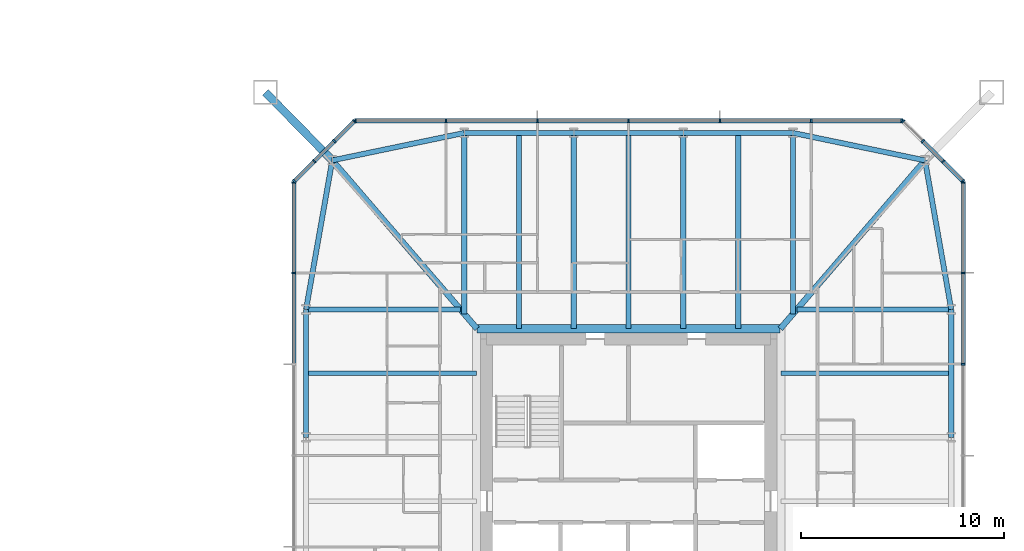
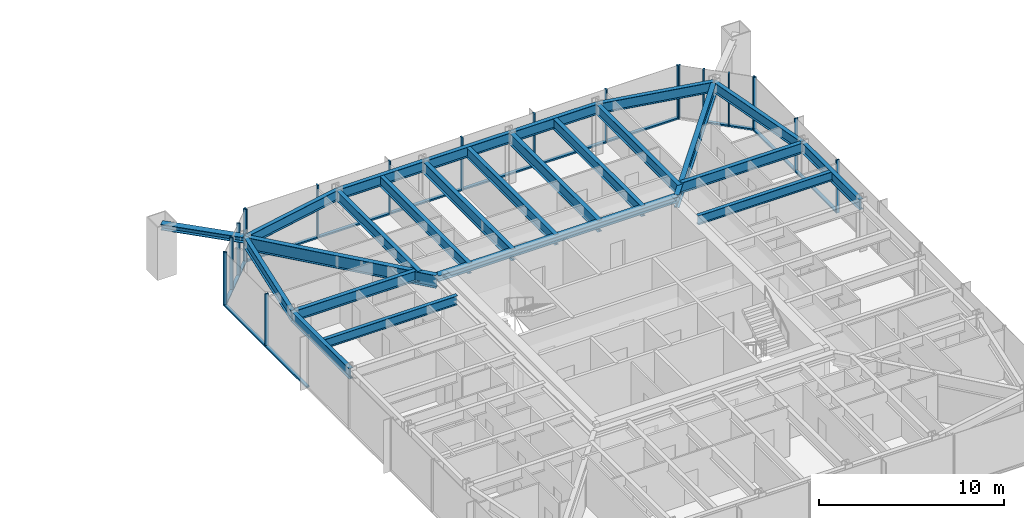
# One storey, part 10 of 26: 36 members, 23 beams, 5 elements without a shape of their own.
"""IFC4 building model written with IfcOpenShell, lengths in metres."""

import ifcopenshell
import ifcopenshell.guid

model = None  # the IFC model being written
_history = None  # IfcOwnerHistory: only IFC2X3 demands one
_inside = {}  # id of a spatial element -> (the spatial element, [elements in it])
_under = {}  # id of a project, library or spatial element -> (it, [spatial elements below it])
_declared = {}  # id of a project -> (the project, [libraries it declares])
_typed = {}  # id of a type object -> (the type object, [elements of that type])
_made_of = {}  # id of a material, layer set ... -> (it, [elements and type objects made of it])


def new_model(schema):
    """Start an empty IFC model of exactly this schema.

    Asked for "IFC4X3", IfcOpenShell would pick the latest addendum, in which some entities
    have other attributes; the version numbers below select the first issue.
    IFC2X3 requires an IfcOwnerHistory on every rooted entity: one is made here for all.
    """
    global model, _history
    if schema == "IFC4X3":
        model = ifcopenshell.file(schema_version=(4, 3, 0, 0))
    else:
        model = ifcopenshell.file(schema=schema)
    _inside.clear()
    _under.clear()
    _declared.clear()
    _typed.clear()
    _made_of.clear()
    _history = None
    if model.schema == "IFC2X3":
        org = make("IfcOrganization", Name="unknown")
        user = make(
            "IfcPersonAndOrganization",
            ThePerson=make("IfcPerson", FamilyName="unknown"),
            TheOrganization=org,
        )
        app = make(
            "IfcApplication",
            ApplicationDeveloper=org,
            Version="unknown",
            ApplicationFullName="unknown",
            ApplicationIdentifier="unknown",
        )
        _history = make(
            "IfcOwnerHistory",
            OwningUser=user,
            OwningApplication=app,
            ChangeAction="ADDED",
            CreationDate=0,
        )
    return model


def make(cls, **values):
    """One entity of the class cls with the attributes given. An attribute that is None is left unset."""
    return model.create_entity(
        cls, **{name: value for name, value in values.items() if value is not None}
    )


def rooted(cls, **values):
    """An entity with a GlobalId (a new one), such as an element, a storey or a relation."""
    return make(cls, GlobalId=ifcopenshell.guid.new(), OwnerHistory=_history, **values)


def si_unit(unit_type, name, prefix=None):
    """IfcSIUnit, for example si_unit("LENGTHUNIT", "METRE", prefix="MILLI")."""
    return make("IfcSIUnit", UnitType=unit_type, Prefix=prefix, Name=name)


def assignment(units):
    """IfcUnitAssignment: the units of a project."""
    return None if units is None else make("IfcUnitAssignment", Units=units)


def point(xyz):
    """IfcCartesianPoint."""
    return None if xyz is None else make("IfcCartesianPoint", Coordinates=xyz)


def direction(xyz):
    """IfcDirection."""
    return None if xyz is None else make("IfcDirection", DirectionRatios=xyz)


def frame(location, z_axis=None, x_axis=None):
    """IfcAxis2Placement3D, a coordinate frame: its origin and axes. An axis left out is left unset."""
    return make(
        "IfcAxis2Placement3D",
        Location=point(location),
        Axis=direction(z_axis),
        RefDirection=direction(x_axis),
    )


def frame_2d(location, x_axis=None):
    """IfcAxis2Placement2D, a coordinate frame in the plane: its origin and x axis."""
    return make(
        "IfcAxis2Placement2D", Location=point(location), RefDirection=direction(x_axis)
    )


def origin():
    """The frame at (0, 0, 0) with its axes left unset."""
    return frame((0.0, 0.0, 0.0))


def origin_2d():
    """The frame at (0, 0) in the plane with its x axis left unset."""
    return frame_2d((0.0, 0.0))


def place(relative_to, where):
    """IfcLocalPlacement: puts the frame where relative to a parent placement (None: the world)."""
    return make(
        "IfcLocalPlacement", PlacementRelTo=relative_to, RelativePlacement=where
    )


def context(
    kind, dimensions, precision=None, world=None, true_north=None, identifier=None
):
    """IfcGeometricRepresentationContext, for example the 3D "Model" context."""
    return make(
        "IfcGeometricRepresentationContext",
        ContextIdentifier=identifier,
        ContextType=kind,
        CoordinateSpaceDimension=dimensions,
        Precision=precision,
        WorldCoordinateSystem=world,
        TrueNorth=true_north,
    )


def subcontext(parent, identifier, kind, view, scale=None):
    """IfcGeometricRepresentationSubContext, for example "Body" below "Model"."""
    return make(
        "IfcGeometricRepresentationSubContext",
        ContextIdentifier=identifier,
        ContextType=kind,
        ParentContext=parent,
        TargetScale=scale,
        TargetView=view,
    )


def project(units=None, contexts=None):
    """IfcProject with its units and contexts."""
    return rooted(
        "IfcProject",
        Name="project",
        RepresentationContexts=contexts,
        UnitsInContext=assignment(units),
    )


def spatial(cls, under=None, at=None, **own):
    """A site, building, storey or space (cls), placed at a placement, below another one or the project."""
    s = rooted(cls, ObjectPlacement=at, **own)
    if under is not None:
        _under.setdefault(under.id(), (under, []))[1].append(s)
    return s


def profile(cls, at=None, kind="AREA", **sizes):
    """A parametric profile (cls). Its sizes go by their IFC names, for example OverallWidth=200.0."""
    return make(cls, ProfileType=kind, Position=at, **sizes)


def rectangle(**sizes):
    """IfcRectangleProfileDef."""
    return profile("IfcRectangleProfileDef", **sizes)


def i_section(**sizes):
    """IfcIShapeProfileDef."""
    return profile("IfcIShapeProfileDef", **sizes)


def extrude(swept, where, along, depth):
    """IfcExtrudedAreaSolid: the profile swept, set in the frame where, extruded along a direction by depth."""
    return make(
        "IfcExtrudedAreaSolid",
        SweptArea=swept,
        Position=where,
        ExtrudedDirection=direction(along),
        Depth=depth,
    )


def shape(context_of_items, identifier, shape_type, items):
    """IfcShapeRepresentation: the items that make up one representation, for example the "Body"."""
    return make(
        "IfcShapeRepresentation",
        ContextOfItems=context_of_items,
        RepresentationIdentifier=identifier,
        RepresentationType=shape_type,
        Items=items,
    )


def material(Name=None, Category=None):
    """IfcMaterial."""
    return make("IfcMaterial", Name=Name, Category=Category)


def material_profile(
    of_material, cross_section, Name=None, Category=None, Priority=None
):
    """IfcMaterialProfile: a cross section and its material."""
    return make(
        "IfcMaterialProfile",
        Name=Name,
        Material=of_material,
        Profile=cross_section,
        Priority=Priority,
        Category=Category,
    )


def profile_set(profiles, Name=None, composite=None):
    """IfcMaterialProfileSet."""
    return make(
        "IfcMaterialProfileSet",
        Name=Name,
        MaterialProfiles=profiles,
        CompositeProfile=composite,
    )


def made_of(thing, what):
    """Note that an element or type object is made of a material, layer set ...; save() writes the relation."""
    if what is not None:
        _made_of.setdefault(what.id(), (what, []))[1].append(thing)
    return thing


def type_object(cls, material=None, **own):
    """A type object (cls), such as IfcWallType, which elements share."""
    return made_of(rooted(cls, **own), material)


def element(
    cls,
    number,
    at=None,
    inside=None,
    cuts=None,
    type_object=None,
    material=None,
    context=None,
    identifier="Body",
    shape_type=None,
    held_by="IfcProductDefinitionShape",
    body=None,
    shapes=None,
    **own,
):
    """One element of the class cls, such as IfcWall. Its Tag is "e" and its number.

    at: its placement. inside: the storey or other place that contains it. cuts: it is an
    opening in that element (IfcRelVoidsElement). A single representation is given by context,
    identifier, shape_type and body (its items); several are given by shapes. held_by: the class
    of the entity that holds the representations. save() writes the other relations.
    """
    e = rooted(cls, Tag="e%d" % number, ObjectPlacement=at, **own)
    if body is not None:
        shapes = [shape(context, identifier, shape_type, body)]
    if shapes is not None:
        e.Representation = make(held_by, Representations=shapes)
    if inside is not None:
        _inside.setdefault(inside.id(), (inside, []))[1].append(e)
    if cuts is not None:
        rooted(
            "IfcRelVoidsElement", RelatingBuildingElement=cuts, RelatedOpeningElement=e
        )
    if type_object is not None:
        _typed.setdefault(type_object.id(), (type_object, []))[1].append(e)
    return made_of(e, material)


def aggregate(whole, parts):
    """IfcRelAggregates: a whole, such as a stair, and the parts it consists of."""
    return rooted("IfcRelAggregates", RelatingObject=whole, RelatedObjects=parts)


def save(model, path):
    """Write the relations noted so far, then the file.

    IfcRelAggregates (storeys below a building ...), IfcRelContainedInSpatialStructure (elements
    in a storey), IfcRelDefinesByType, IfcRelAssociatesMaterial and IfcRelDeclares: one each for
    every whole, place, type object, material and project.
    """
    for whole, parts in _under.values():
        aggregate(whole, parts)
    for where, things in _inside.values():
        rooted(
            "IfcRelContainedInSpatialStructure",
            RelatedElements=things,
            RelatingStructure=where,
        )
    for kind, things in _typed.values():
        rooted("IfcRelDefinesByType", RelatedObjects=things, RelatingType=kind)
    for what, things in _made_of.values():
        rooted("IfcRelAssociatesMaterial", RelatedObjects=things, RelatingMaterial=what)
    for by, libraries in _declared.values():
        rooted("IfcRelDeclares", RelatingContext=by, RelatedDefinitions=libraries)
    model.write(path)


model = new_model("IFC4")

# Units and contexts
model_context = context("Model", 3, precision=1e-05, world=origin(), true_north=direction((0.0, 1.0)))
body_context = subcontext(model_context, "Body", "Model", "MODEL_VIEW")
ifc_project = project(units=[si_unit("LENGTHUNIT", "METRE"), si_unit("AREAUNIT", "SQUARE_METRE"), si_unit("VOLUMEUNIT", "CUBIC_METRE"), si_unit("PLANEANGLEUNIT", "RADIAN"), si_unit("MASSUNIT", "GRAM", prefix="KILO")], contexts=[model_context])

# Site, building, storey
site_placement = place(None, origin())
site = spatial("IfcSite", under=ifc_project, at=site_placement, CompositionType="ELEMENT")
building_placement = place(site_placement, origin())
building = spatial("IfcBuilding", under=site, at=building_placement, Name="Iwan Alto Co-Living Towers", CompositionType="ELEMENT")
storey_placement = place(building_placement, frame((0.0, 0.0, 67.5)))
storey = spatial("IfcBuildingStorey", under=building, at=storey_placement, Name="L18", CompositionType="ELEMENT", Elevation=67.5)

# Curtain wall, members
ifc_material_1 = material(Name="Bronze aluminium unitised frame", Category="aluminium")
curtain_wall_type_1 = type_object("IfcCurtainWallType", Name="CURTAIN WALL CW-C", PredefinedType="NOTDEFINED", material=ifc_material_1)
curtain_wall_1_placement = place(storey_placement, origin())
curtain_wall_1 = element("IfcCurtainWall", 1, at=curtain_wall_1_placement, inside=storey, type_object=curtain_wall_type_1, Name="T2 curtain wall E L18", PredefinedType="NOTDEFINED")
ifc_material_2 = material(Name="Aluminium 6063-T6 bronze anodised", Category="aluminium")
ifc_material_profile_1 = material_profile(ifc_material_2, rectangle(XDim=0.199951171875, YDim=0.080078125, at=origin_2d()), Name="AL 80X200")
ifc_profile_set_1 = profile_set([ifc_material_profile_1], Name="Aluminium 6063-T6 bronze anodised")
member_type_1 = type_object("IfcMemberType", Name="CW-C MULLION 80X200", PredefinedType="MULLION", material=ifc_profile_set_1)
member_1_placement = place(storey_placement, frame((79.5, 6.75, 0.0), z_axis=(0.0, 0.0, 1.0), x_axis=(-1.0, 0.0, 0.0)))
member_1 = element("IfcMember", 2, at=member_1_placement, type_object=member_type_1, Name="CW-C mullion 6", PredefinedType="MULLION", context=body_context, shape_type="SweptSolid", body=[
    extrude(rectangle(XDim=0.199951171875, YDim=0.080078125, at=origin_2d()), origin(), (0.0, 0.0, 1.0), 3.5),
])
member_2_placement = place(storey_placement, frame((79.5, 11.25, 0.0), z_axis=(0.0, 0.0, 1.0), x_axis=(-1.0, 0.0, 0.0)))
member_2 = element("IfcMember", 3, at=member_2_placement, type_object=member_type_1, Name="CW-C mullion 7", PredefinedType="MULLION", context=body_context, shape_type="SweptSolid", body=[
    extrude(rectangle(XDim=0.199951171875, YDim=0.080078125, at=origin_2d()), origin(), (0.0, 0.0, 1.0), 3.5),
])
member_3_placement = place(storey_placement, frame((79.5, 15.7099609375, 0.0), z_axis=(0.0, 0.0, 1.0), x_axis=(-1.0, 0.0, 0.0)))
member_3 = element("IfcMember", 4, at=member_3_placement, type_object=member_type_1, Name="CW-C mullion 8", PredefinedType="MULLION", context=body_context, shape_type="SweptSolid", body=[
    extrude(rectangle(XDim=0.199951171875, YDim=0.080078125, at=origin_2d()), origin(), (0.0, 0.0, 1.0), 3.5),
])

curtain_wall_2_placement = place(storey_placement, origin())
curtain_wall_2 = element("IfcCurtainWall", 5, at=curtain_wall_2_placement, inside=storey, type_object=curtain_wall_type_1, Name="T2 curtain wall N L18", PredefinedType="NOTDEFINED")
member_4_placement = place(storey_placement, frame((76.4599609375, 18.75, 0.0), z_axis=(0.0, 0.0, 1.0), x_axis=(0.0, -1.0, 0.0)))
member_4 = element("IfcMember", 6, at=member_4_placement, type_object=member_type_1, Name="CW-C mullion 1", PredefinedType="MULLION", context=body_context, shape_type="SweptSolid", body=[
    extrude(rectangle(XDim=0.199951171875, YDim=0.080078125, at=origin_2d()), origin(), (0.0, 0.0, 1.0), 3.5),
])
member_5_placement = place(storey_placement, frame((72.0, 18.75, 0.0), z_axis=(0.0, 0.0, 1.0), x_axis=(0.0, -1.0, 0.0)))
member_5 = element("IfcMember", 7, at=member_5_placement, type_object=member_type_1, Name="CW-C mullion 2", PredefinedType="MULLION", context=body_context, shape_type="SweptSolid", body=[
    extrude(rectangle(XDim=0.199951171875, YDim=0.080078125, at=origin_2d()), origin(), (0.0, 0.0, 1.0), 3.5),
])
member_6_placement = place(storey_placement, frame((67.5, 18.75, 0.0), z_axis=(0.0, 0.0, 1.0), x_axis=(0.0, -1.0, 0.0)))
member_6 = element("IfcMember", 8, at=member_6_placement, type_object=member_type_1, Name="CW-C mullion 3", PredefinedType="MULLION", context=body_context, shape_type="SweptSolid", body=[
    extrude(rectangle(XDim=0.199951171875, YDim=0.080078125, at=origin_2d()), origin(), (0.0, 0.0, 1.0), 3.5),
])
member_7_placement = place(storey_placement, frame((63.0, 18.75, 0.0), z_axis=(0.0, 0.0, 1.0), x_axis=(0.0, -1.0, 0.0)))
member_7 = element("IfcMember", 9, at=member_7_placement, type_object=member_type_1, Name="CW-C mullion 4", PredefinedType="MULLION", context=body_context, shape_type="SweptSolid", body=[
    extrude(rectangle(XDim=0.199951171875, YDim=0.080078125, at=origin_2d()), origin(), (0.0, 0.0, 1.0), 3.5),
])
member_8_placement = place(storey_placement, frame((58.5, 18.75, 0.0), z_axis=(0.0, 0.0, 1.0), x_axis=(0.0, -1.0, 0.0)))
member_8 = element("IfcMember", 10, at=member_8_placement, type_object=member_type_1, Name="CW-C mullion 5", PredefinedType="MULLION", context=body_context, shape_type="SweptSolid", body=[
    extrude(rectangle(XDim=0.199951171875, YDim=0.080078125, at=origin_2d()), origin(), (0.0, 0.0, 1.0), 3.5),
])
member_9_placement = place(storey_placement, frame((54.0, 18.75, 0.0), z_axis=(0.0, 0.0, 1.0), x_axis=(0.0, -1.0, 0.0)))
member_9 = element("IfcMember", 11, at=member_9_placement, type_object=member_type_1, Name="CW-C mullion 6", PredefinedType="MULLION", context=body_context, shape_type="SweptSolid", body=[
    extrude(rectangle(XDim=0.199951171875, YDim=0.080078125, at=origin_2d()), origin(), (0.0, 0.0, 1.0), 3.5),
])
member_10_placement = place(storey_placement, frame((49.5400390625, 18.75, 0.0), z_axis=(0.0, 0.0, 1.0), x_axis=(0.0, -1.0, 0.0)))
member_10 = element("IfcMember", 12, at=member_10_placement, type_object=member_type_1, Name="CW-C mullion 7", PredefinedType="MULLION", context=body_context, shape_type="SweptSolid", body=[
    extrude(rectangle(XDim=0.199951171875, YDim=0.080078125, at=origin_2d()), origin(), (0.0, 0.0, 1.0), 3.5),
])

curtain_wall_3_placement = place(storey_placement, origin())
curtain_wall_3 = element("IfcCurtainWall", 13, at=curtain_wall_3_placement, inside=storey, type_object=curtain_wall_type_1, Name="T2 curtain wall W L18", PredefinedType="NOTDEFINED")
member_11_placement = place(storey_placement, frame((46.5, 15.7099609375, 0.0), z_axis=(0.0, 0.0, 1.0), x_axis=(1.0, 0.0, 0.0)))
member_11 = element("IfcMember", 14, at=member_11_placement, type_object=member_type_1, Name="CW-C mullion 1", PredefinedType="MULLION", context=body_context, shape_type="SweptSolid", body=[
    extrude(rectangle(XDim=0.199951171875, YDim=0.080078125, at=origin_2d()), origin(), (0.0, 0.0, 1.0), 3.5),
])
member_12_placement = place(storey_placement, frame((46.5, 11.25, 0.0), z_axis=(0.0, 0.0, 1.0), x_axis=(1.0, 0.0, 0.0)))
member_12 = element("IfcMember", 15, at=member_12_placement, type_object=member_type_1, Name="CW-C mullion 2", PredefinedType="MULLION", context=body_context, shape_type="SweptSolid", body=[
    extrude(rectangle(XDim=0.199951171875, YDim=0.080078125, at=origin_2d()), origin(), (0.0, 0.0, 1.0), 3.5),
])

# Member
ifc_material_3 = material(Name="Aluminium 6063-T6 bronze anodised", Category="aluminium")
ifc_material_profile_2 = material_profile(ifc_material_3, rectangle(XDim=0.199951171875, YDim=0.10009765625, at=origin_2d()), Name="AL 200X100")
ifc_profile_set_2 = profile_set([ifc_material_profile_2], Name="Aluminium 6063-T6 bronze anodised")
member_type_2 = type_object("IfcMemberType", Name="CW-C TRANSOM 200X100", PredefinedType="USERDEFINED", material=ifc_profile_set_2)
member_13_placement = place(storey_placement, frame((79.5, 6.7900390625, 0.050048828125), z_axis=(0.0, 1.0, 0.0), x_axis=(-1.0, 0.0, 0.0)))
member_13 = element("IfcMember", 16, at=member_13_placement, type_object=member_type_2, Name="CW-C transom 6.1", ObjectType="TRANSOM", PredefinedType="USERDEFINED", context=body_context, shape_type="SweptSolid", body=[
    extrude(rectangle(XDim=0.199951171875, YDim=0.10009765625, at=origin_2d()), origin(), (0.0, 0.0, 1.0), 4.419921875),
])

member_14_placement = place(storey_placement, frame((79.5, 11.2900390625, 0.050048828125), z_axis=(0.0, 1.0, 0.0), x_axis=(-1.0, 0.0, 0.0)))
member_14 = element("IfcMember", 17, at=member_14_placement, type_object=member_type_2, Name="CW-C transom 7.1", ObjectType="TRANSOM", PredefinedType="USERDEFINED", context=body_context, shape_type="SweptSolid", body=[
    extrude(rectangle(XDim=0.199951171875, YDim=0.10009765625, at=origin_2d()), origin(), (0.0, 0.0, 1.0), 4.3798828125),
])

aggregate(curtain_wall_1, [member_1, member_2, member_3, member_13, member_14])

member_15_placement = place(storey_placement, frame((76.419921875, 18.75, 0.050048828125), z_axis=(-1.0, 0.0, 0.0), x_axis=(0.0, -1.0, 0.0)))
member_15 = element("IfcMember", 18, at=member_15_placement, type_object=member_type_2, Name="CW-C transom 1.1", ObjectType="TRANSOM", PredefinedType="USERDEFINED", context=body_context, shape_type="SweptSolid", body=[
    extrude(rectangle(XDim=0.199951171875, YDim=0.10009765625, at=origin_2d()), origin(), (0.0, 0.0, 1.0), 4.3798828125),
])

member_16_placement = place(storey_placement, frame((71.9599609375, 18.75, 0.050048828125), z_axis=(-1.0, 0.0, 0.0), x_axis=(0.0, -1.0, 0.0)))
member_16 = element("IfcMember", 19, at=member_16_placement, type_object=member_type_2, Name="CW-C transom 2.1", ObjectType="TRANSOM", PredefinedType="USERDEFINED", context=body_context, shape_type="SweptSolid", body=[
    extrude(rectangle(XDim=0.199951171875, YDim=0.10009765625, at=origin_2d()), origin(), (0.0, 0.0, 1.0), 4.419921875),
])

member_17_placement = place(storey_placement, frame((67.4599609375, 18.75, 0.050048828125), z_axis=(-1.0, 0.0, 0.0), x_axis=(0.0, -1.0, 0.0)))
member_17 = element("IfcMember", 20, at=member_17_placement, type_object=member_type_2, Name="CW-C transom 3.1", ObjectType="TRANSOM", PredefinedType="USERDEFINED", context=body_context, shape_type="SweptSolid", body=[
    extrude(rectangle(XDim=0.199951171875, YDim=0.10009765625, at=origin_2d()), origin(), (0.0, 0.0, 1.0), 4.419921875),
])

member_18_placement = place(storey_placement, frame((62.9599609375, 18.75, 0.050048828125), z_axis=(-1.0, 0.0, 0.0), x_axis=(0.0, -1.0, 0.0)))
member_18 = element("IfcMember", 21, at=member_18_placement, type_object=member_type_2, Name="CW-C transom 4.1", ObjectType="TRANSOM", PredefinedType="USERDEFINED", context=body_context, shape_type="SweptSolid", body=[
    extrude(rectangle(XDim=0.199951171875, YDim=0.10009765625, at=origin_2d()), origin(), (0.0, 0.0, 1.0), 4.419921875),
])

member_19_placement = place(storey_placement, frame((58.4599609375, 18.75, 0.050048828125), z_axis=(-1.0, 0.0, 0.0), x_axis=(0.0, -1.0, 0.0)))
member_19 = element("IfcMember", 22, at=member_19_placement, type_object=member_type_2, Name="CW-C transom 5.1", ObjectType="TRANSOM", PredefinedType="USERDEFINED", context=body_context, shape_type="SweptSolid", body=[
    extrude(rectangle(XDim=0.199951171875, YDim=0.10009765625, at=origin_2d()), origin(), (0.0, 0.0, 1.0), 4.419921875),
])

member_20_placement = place(storey_placement, frame((53.9599609375, 18.75, 0.050048828125), z_axis=(-1.0, 0.0, 0.0), x_axis=(0.0, -1.0, 0.0)))
member_20 = element("IfcMember", 23, at=member_20_placement, type_object=member_type_2, Name="CW-C transom 6.1", ObjectType="TRANSOM", PredefinedType="USERDEFINED", context=body_context, shape_type="SweptSolid", body=[
    extrude(rectangle(XDim=0.199951171875, YDim=0.10009765625, at=origin_2d()), origin(), (0.0, 0.0, 1.0), 4.3798828125),
])

aggregate(curtain_wall_2, [member_4, member_5, member_6, member_7, member_8, member_9, member_10, member_15, member_16, member_17, member_18, member_19, member_20])

member_21_placement = place(storey_placement, frame((46.5, 15.669921875, 0.050048828125), z_axis=(0.0, -1.0, 0.0), x_axis=(1.0, 0.0, 0.0)))
member_21 = element("IfcMember", 24, at=member_21_placement, type_object=member_type_2, Name="CW-C transom 1.1", ObjectType="TRANSOM", PredefinedType="USERDEFINED", context=body_context, shape_type="SweptSolid", body=[
    extrude(rectangle(XDim=0.199951171875, YDim=0.10009765625, at=origin_2d()), origin(), (0.0, 0.0, 1.0), 4.3798828125),
])

member_22_placement = place(storey_placement, frame((46.5, 11.2099609375, 0.050048828125), z_axis=(0.0, -1.0, 0.0), x_axis=(1.0, 0.0, 0.0)))
member_22 = element("IfcMember", 25, at=member_22_placement, type_object=member_type_2, Name="CW-C transom 2.1", ObjectType="TRANSOM", PredefinedType="USERDEFINED", context=body_context, shape_type="SweptSolid", body=[
    extrude(rectangle(XDim=0.199951171875, YDim=0.10009765625, at=origin_2d()), origin(), (0.0, 0.0, 1.0), 4.419921875),
])

aggregate(curtain_wall_3, [member_11, member_12, member_21, member_22])

# Curtain wall, members
ifc_material_4 = material(Name="Bronze aluminium unitised frame", Category="aluminium")
curtain_wall_type_2 = type_object("IfcCurtainWallType", Name="CURTAIN WALL CW-D", PredefinedType="NOTDEFINED", material=ifc_material_4)
curtain_wall_4_placement = place(storey_placement, origin())
curtain_wall_4 = element("IfcCurtainWall", 26, at=curtain_wall_4_placement, inside=storey, type_object=curtain_wall_type_2, Name="T2 chamfer curtain wall NE L18", PredefinedType="NOTDEFINED")
ifc_material_5 = material(Name="Aluminium 6063-T6 bronze anodised", Category="aluminium")
ifc_material_profile_3 = material_profile(ifc_material_5, rectangle(XDim=0.199951171875, YDim=0.080078125, at=origin_2d()), Name="AL 80X200")
ifc_profile_set_3 = profile_set([ifc_material_profile_3], Name="Aluminium 6063-T6 bronze anodised")
member_type_3 = type_object("IfcMemberType", Name="CW-D MULLION 80X200", PredefinedType="MULLION", material=ifc_profile_set_3)
member_23_placement = place(storey_placement, frame((79.4716796875, 15.7783203125, 0.0), z_axis=(0.0, 0.0, 1.0), x_axis=(-0.707106781187, -0.707106781187, 0.0)))
member_23 = element("IfcMember", 27, at=member_23_placement, type_object=member_type_3, Name="CW-D mullion 1", PredefinedType="MULLION", context=body_context, shape_type="SweptSolid", body=[
    extrude(rectangle(XDim=0.199951171875, YDim=0.080078125, at=origin_2d()), origin(), (0.0, 0.0, 1.0), 3.5),
])
member_24_placement = place(storey_placement, frame((78.5, 16.75, 0.0), z_axis=(0.0, 0.0, 1.0), x_axis=(-0.707106781187, -0.707106781187, 0.0)))
member_24 = element("IfcMember", 28, at=member_24_placement, type_object=member_type_3, Name="CW-D mullion 2", PredefinedType="MULLION", context=body_context, shape_type="SweptSolid", body=[
    extrude(rectangle(XDim=0.199951171875, YDim=0.080078125, at=origin_2d()), origin(), (0.0, 0.0, 1.0), 3.5),
])
member_25_placement = place(storey_placement, frame((77.5, 17.75, 0.0), z_axis=(0.0, 0.0, 1.0), x_axis=(-0.707106781187, -0.707106781187, 0.0)))
member_25 = element("IfcMember", 29, at=member_25_placement, type_object=member_type_3, Name="CW-D mullion 3", PredefinedType="MULLION", context=body_context, shape_type="SweptSolid", body=[
    extrude(rectangle(XDim=0.199951171875, YDim=0.080078125, at=origin_2d()), origin(), (0.0, 0.0, 1.0), 3.5),
])
member_26_placement = place(storey_placement, frame((76.5283203125, 18.7216796875, 0.0), z_axis=(0.0, 0.0, 1.0), x_axis=(-0.707106781187, -0.707106781187, 0.0)))
member_26 = element("IfcMember", 30, at=member_26_placement, type_object=member_type_3, Name="CW-D mullion 4", PredefinedType="MULLION", context=body_context, shape_type="SweptSolid", body=[
    extrude(rectangle(XDim=0.199951171875, YDim=0.080078125, at=origin_2d()), origin(), (0.0, 0.0, 1.0), 3.5),
])

curtain_wall_5_placement = place(storey_placement, origin())
curtain_wall_5 = element("IfcCurtainWall", 31, at=curtain_wall_5_placement, inside=storey, type_object=curtain_wall_type_2, Name="T2 chamfer curtain wall NW L18", PredefinedType="NOTDEFINED")
member_27_placement = place(storey_placement, frame((49.4716796875, 18.7216796875, 0.0), z_axis=(0.0, 0.0, 1.0), x_axis=(0.707106781187, -0.707106781187, 0.0)))
member_27 = element("IfcMember", 32, at=member_27_placement, type_object=member_type_3, Name="CW-D mullion 1", PredefinedType="MULLION", context=body_context, shape_type="SweptSolid", body=[
    extrude(rectangle(XDim=0.199951171875, YDim=0.080078125, at=origin_2d()), origin(), (0.0, 0.0, 1.0), 3.5),
])
member_28_placement = place(storey_placement, frame((48.5, 17.75, 0.0), z_axis=(0.0, 0.0, 1.0), x_axis=(0.707106781187, -0.707106781187, 0.0)))
member_28 = element("IfcMember", 33, at=member_28_placement, type_object=member_type_3, Name="CW-D mullion 2", PredefinedType="MULLION", context=body_context, shape_type="SweptSolid", body=[
    extrude(rectangle(XDim=0.199951171875, YDim=0.080078125, at=origin_2d()), origin(), (0.0, 0.0, 1.0), 3.5),
])
member_29_placement = place(storey_placement, frame((47.5, 16.75, 0.0), z_axis=(0.0, 0.0, 1.0), x_axis=(0.707106781187, -0.707106781187, 0.0)))
member_29 = element("IfcMember", 34, at=member_29_placement, type_object=member_type_3, Name="CW-D mullion 3", PredefinedType="MULLION", context=body_context, shape_type="SweptSolid", body=[
    extrude(rectangle(XDim=0.199951171875, YDim=0.080078125, at=origin_2d()), origin(), (0.0, 0.0, 1.0), 3.5),
])
member_30_placement = place(storey_placement, frame((46.5283203125, 15.7783203125, 0.0), z_axis=(0.0, 0.0, 1.0), x_axis=(0.707106781187, -0.707106781187, 0.0)))
member_30 = element("IfcMember", 35, at=member_30_placement, type_object=member_type_3, Name="CW-D mullion 4", PredefinedType="MULLION", context=body_context, shape_type="SweptSolid", body=[
    extrude(rectangle(XDim=0.199951171875, YDim=0.080078125, at=origin_2d()), origin(), (0.0, 0.0, 1.0), 3.5),
])

# Member
ifc_material_6 = material(Name="Aluminium 6063-T6 bronze anodised", Category="aluminium")
ifc_material_profile_4 = material_profile(ifc_material_6, rectangle(XDim=0.199951171875, YDim=0.10009765625, at=origin_2d()), Name="AL 200X100")
ifc_profile_set_4 = profile_set([ifc_material_profile_4], Name="Aluminium 6063-T6 bronze anodised")
member_type_4 = type_object("IfcMemberType", Name="CW-D TRANSOM 200X100", PredefinedType="USERDEFINED", material=ifc_profile_set_4)
member_31_placement = place(storey_placement, frame((79.443359375, 15.806640625, 0.050048828125), z_axis=(-0.707106781187, 0.707106781187, 0.0), x_axis=(-0.707106781187, -0.707106781187, 0.0)))
member_31 = element("IfcMember", 36, at=member_31_placement, type_object=member_type_4, Name="CW-D transom 1.1", ObjectType="TRANSOM", PredefinedType="USERDEFINED", context=body_context, shape_type="SweptSolid", body=[
    extrude(rectangle(XDim=0.199951171875, YDim=0.10009765625, at=origin_2d()), origin(), (0.0, 0.0, 1.0), 1.2939453125),
])

member_32_placement = place(storey_placement, frame((78.4716796875, 16.7783203125, 0.050048828125), z_axis=(-0.707106781187, 0.707106781187, 0.0), x_axis=(-0.707106781187, -0.707106781187, 0.0)))
member_32 = element("IfcMember", 37, at=member_32_placement, type_object=member_type_4, Name="CW-D transom 2.1", ObjectType="TRANSOM", PredefinedType="USERDEFINED", context=body_context, shape_type="SweptSolid", body=[
    extrude(rectangle(XDim=0.199951171875, YDim=0.10009765625, at=origin_2d()), origin(), (0.0, 0.0, 1.0), 1.334228515625),
])

aggregate(curtain_wall_4, [member_23, member_24, member_25, member_26, member_31, member_32])

member_33_placement = place(storey_placement, frame((49.443359375, 18.693359375, 0.050048828125), z_axis=(-0.707106781187, -0.707106781187, 0.0), x_axis=(0.707106781187, -0.707106781187, 0.0)))
member_33 = element("IfcMember", 38, at=member_33_placement, type_object=member_type_4, Name="CW-D transom 1.1", ObjectType="TRANSOM", PredefinedType="USERDEFINED", context=body_context, shape_type="SweptSolid", body=[
    extrude(rectangle(XDim=0.199951171875, YDim=0.10009765625, at=origin_2d()), origin(), (0.0, 0.0, 1.0), 1.2939453125),
])

member_34_placement = place(storey_placement, frame((48.4716796875, 17.7216796875, 0.050048828125), z_axis=(-0.707106781187, -0.707106781187, 0.0), x_axis=(0.707106781187, -0.707106781187, 0.0)))
member_34 = element("IfcMember", 39, at=member_34_placement, type_object=member_type_4, Name="CW-D transom 2.1", ObjectType="TRANSOM", PredefinedType="USERDEFINED", context=body_context, shape_type="SweptSolid", body=[
    extrude(rectangle(XDim=0.199951171875, YDim=0.10009765625, at=origin_2d()), origin(), (0.0, 0.0, 1.0), 1.334228515625),
])

member_35_placement = place(storey_placement, frame((47.4716796875, 16.7216796875, 0.050048828125), z_axis=(-0.707106781187, -0.707106781187, 0.0), x_axis=(0.707106781187, -0.707106781187, 0.0)))
member_35 = element("IfcMember", 40, at=member_35_placement, type_object=member_type_4, Name="CW-D transom 3.1", ObjectType="TRANSOM", PredefinedType="USERDEFINED", context=body_context, shape_type="SweptSolid", body=[
    extrude(rectangle(XDim=0.199951171875, YDim=0.10009765625, at=origin_2d()), origin(), (0.0, 0.0, 1.0), 1.2939453125),
])

aggregate(curtain_wall_5, [member_27, member_28, member_29, member_30, member_33, member_34, member_35])

# Beams
ifc_material_7 = material(Name="Steel ASTM A992 Gr 50", Category="steel")
ifc_material_profile_5 = material_profile(ifc_material_7, i_section(OverallWidth=0.398681640625, OverallDepth=0.385986328125, WebThickness=0.02099609375, FlangeThickness=0.033203125, at=origin_2d()), Name="W14X176")
ifc_profile_set_5 = profile_set([ifc_material_profile_5], Name="Steel ASTM A992 Gr 50")
beam_type_1 = type_object("IfcBeamType", Name="T2 CORE LEDGER BEAM W14X176", PredefinedType="BEAM", material=ifc_profile_set_5)
beam_1_placement = place(storey_placement, frame((70.471435546875, 8.49951171875, 3.076904296875), z_axis=(-1.0, 0.0, 0.0), x_axis=(0.0, -1.0, 0.0)))
element("IfcBeam", 41, at=beam_1_placement, inside=storey, type_object=beam_type_1, Name="T2 core ledger beam N L19", PredefinedType="BEAM", context=body_context, shape_type="SweptSolid", body=[
    extrude(i_section(OverallWidth=0.398681640625, OverallDepth=0.385986328125, WebThickness=0.02099609375, FlangeThickness=0.033203125, at=origin_2d()), origin(), (0.0, 0.0, 1.0), 14.94287109375),
])
ifc_material_8 = material(Name="Steel ASTM A992 Gr 50", Category="steel")
ifc_material_profile_6 = material_profile(ifc_material_8, i_section(OverallWidth=0.2919921875, OverallDepth=0.8408203125, WebThickness=0.0146484375, FlangeThickness=0.021728515625, at=origin_2d()), Name="W33X130")
ifc_profile_set_6 = profile_set([ifc_material_profile_6], Name="Steel ASTM A992 Gr 50")
beam_type_2 = type_object("IfcBeamType", Name="T2 CORNER GIRDER W33X130", PredefinedType="BEAM", material=ifc_profile_set_6)
for number, where, z_axis, x_axis, name in (
    (42, (77.606201171875, 16.797119140625, 2.849609375), (-0.651977452133, -0.758238354286, 0.0), (0.758238354286, -0.651977452133, 0.0), "T2 corner girder CNE L19"),
    (43, (48.393798828125, 16.797119140625, 2.849609375), (0.651977452133, -0.758238354286, 0.0), (0.758238354286, 0.651977452133, 0.0), "T2 corner girder CNW L19"),
):
    element("IfcBeam", number, at=place(storey_placement, frame(where, z_axis=z_axis, x_axis=x_axis)), inside=storey, type_object=beam_type_2, Name=name, PredefinedType="BEAM", context=body_context, shape_type="SweptSolid", body=[
        extrude(i_section(OverallWidth=0.2919921875, OverallDepth=0.8408203125, WebThickness=0.0146484375, FlangeThickness=0.021728515625, at=origin_2d()), origin(), (0.0, 0.0, 1.0), 10.943359375),
    ])
ifc_material_9 = material(Name="Steel ASTM A992 Gr 50", Category="steel")
ifc_material_profile_7 = material_profile(ifc_material_9, i_section(OverallWidth=0.25390625, OverallDepth=0.683349609375, WebThickness=0.012451171875, FlangeThickness=0.018798828125, at=origin_2d()), Name="W27X94")
ifc_profile_set_7 = profile_set([ifc_material_profile_7], Name="Steel ASTM A992 Gr 50")
beam_type_3 = type_object("IfcBeamType", Name="T2 EDGE BEAM W27X94", PredefinedType="BEAM", material=ifc_profile_set_7)
beam_2_placement = place(storey_placement, frame((78.89990234375, 3.14990234375, 2.928466796875), z_axis=(0.0, 1.0, 0.0), x_axis=(-1.0, 0.0, 0.0)))
element("IfcBeam", 44, at=beam_2_placement, inside=storey, type_object=beam_type_3, Name="T2 edge beam E3 L19", PredefinedType="BEAM", context=body_context, shape_type="SweptSolid", body=[
    extrude(i_section(OverallWidth=0.25390625, OverallDepth=0.683349609375, WebThickness=0.012451171875, FlangeThickness=0.018798828125, at=origin_2d()), origin(), (0.0, 0.0, 1.0), 6.300048828125),
])
beam_3_placement = place(storey_placement, frame((78.89990234375, 9.449951171875, 2.928466796875), z_axis=(-0.173413807283, 0.98484905008, 0.0), x_axis=(-0.98484905008, -0.173413807283, 0.0)))
element("IfcBeam", 45, at=beam_3_placement, inside=storey, type_object=beam_type_3, Name="T2 edge beam E4 L19", PredefinedType="BEAM", context=body_context, shape_type="SweptSolid", body=[
    extrude(i_section(OverallWidth=0.25390625, OverallDepth=0.683349609375, WebThickness=0.012451171875, FlangeThickness=0.018798828125, at=origin_2d()), origin(), (0.0, 0.0, 1.0), 7.460205078125),
])
beam_4_placement = place(storey_placement, frame((77.606201171875, 16.797119140625, 2.928466796875), z_axis=(-0.979060119423, 0.203571320564, 0.0), x_axis=(-0.203571320564, -0.979060119423, 0.0)))
element("IfcBeam", 46, at=beam_4_placement, inside=storey, type_object=beam_type_3, Name="T2 edge beam CNE L19", PredefinedType="BEAM", context=body_context, shape_type="SweptSolid", body=[
    extrude(i_section(OverallWidth=0.25390625, OverallDepth=0.683349609375, WebThickness=0.012451171875, FlangeThickness=0.018798828125, at=origin_2d()), origin(), (0.0, 0.0, 1.0), 6.645263671875),
])
beam_5_placement = place(storey_placement, frame((71.10009765625, 18.14990234375, 2.928466796875), z_axis=(-1.0, 0.0, 0.0), x_axis=(0.0, -1.0, 0.0)))
element("IfcBeam", 47, at=beam_5_placement, inside=storey, type_object=beam_type_3, Name="T2 edge beam N1 L19", PredefinedType="BEAM", context=body_context, shape_type="SweptSolid", body=[
    extrude(i_section(OverallWidth=0.25390625, OverallDepth=0.683349609375, WebThickness=0.012451171875, FlangeThickness=0.018798828125, at=origin_2d()), origin(), (0.0, 0.0, 1.0), 5.400146484375),
])
beam_6_placement = place(storey_placement, frame((65.699951171875, 18.14990234375, 2.928466796875), z_axis=(-1.0, 0.0, 0.0), x_axis=(0.0, -1.0, 0.0)))
element("IfcBeam", 48, at=beam_6_placement, inside=storey, type_object=beam_type_3, Name="T2 edge beam N2 L19", PredefinedType="BEAM", context=body_context, shape_type="SweptSolid", body=[
    extrude(i_section(OverallWidth=0.25390625, OverallDepth=0.683349609375, WebThickness=0.012451171875, FlangeThickness=0.018798828125, at=origin_2d()), origin(), (0.0, 0.0, 1.0), 5.39990234375),
])
beam_7_placement = place(storey_placement, frame((60.300048828125, 18.14990234375, 2.928466796875), z_axis=(-1.0, 0.0, 0.0), x_axis=(0.0, -1.0, 0.0)))
element("IfcBeam", 49, at=beam_7_placement, inside=storey, type_object=beam_type_3, Name="T2 edge beam N3 L19", PredefinedType="BEAM", context=body_context, shape_type="SweptSolid", body=[
    extrude(i_section(OverallWidth=0.25390625, OverallDepth=0.683349609375, WebThickness=0.012451171875, FlangeThickness=0.018798828125, at=origin_2d()), origin(), (0.0, 0.0, 1.0), 5.400146484375),
])
beam_8_placement = place(storey_placement, frame((54.89990234375, 18.14990234375, 2.928466796875), z_axis=(-0.979060119423, -0.203571320564, 0.0), x_axis=(0.203571320564, -0.979060119423, 0.0)))
element("IfcBeam", 50, at=beam_8_placement, inside=storey, type_object=beam_type_3, Name="T2 edge beam N4 L19", PredefinedType="BEAM", context=body_context, shape_type="SweptSolid", body=[
    extrude(i_section(OverallWidth=0.25390625, OverallDepth=0.683349609375, WebThickness=0.012451171875, FlangeThickness=0.018798828125, at=origin_2d()), origin(), (0.0, 0.0, 1.0), 6.645263671875),
])
beam_9_placement = place(storey_placement, frame((48.393798828125, 16.797119140625, 2.928466796875), z_axis=(-0.173413807283, -0.98484905008, 0.0), x_axis=(0.98484905008, -0.173413807283, 0.0)))
element("IfcBeam", 51, at=beam_9_placement, inside=storey, type_object=beam_type_3, Name="T2 edge beam CNW L19", PredefinedType="BEAM", context=body_context, shape_type="SweptSolid", body=[
    extrude(i_section(OverallWidth=0.25390625, OverallDepth=0.683349609375, WebThickness=0.012451171875, FlangeThickness=0.018798828125, at=origin_2d()), origin(), (0.0, 0.0, 1.0), 7.460205078125),
])
beam_10_placement = place(storey_placement, frame((47.10009765625, 9.449951171875, 2.928466796875), z_axis=(0.0, -1.0, 0.0), x_axis=(1.0, 0.0, 0.0)))
element("IfcBeam", 52, at=beam_10_placement, inside=storey, type_object=beam_type_3, Name="T2 edge beam W1 L19", PredefinedType="BEAM", context=body_context, shape_type="SweptSolid", body=[
    extrude(i_section(OverallWidth=0.25390625, OverallDepth=0.683349609375, WebThickness=0.012451171875, FlangeThickness=0.018798828125, at=origin_2d()), origin(), (0.0, 0.0, 1.0), 6.300048828125),
])

# Member
ifc_material_10 = material(Name="Steel ASTM A992 Gr 50", Category="steel")
ifc_material_profile_8 = material_profile(ifc_material_10, i_section(OverallWidth=0.393798828125, OverallDepth=0.3759765625, WebThickness=0.017333984375, FlangeThickness=0.027587890625, at=origin_2d()), Name="W14X145")
ifc_profile_set_8 = profile_set([ifc_material_profile_8], Name="Steel ASTM A992 Gr 50")
member_type_5 = type_object("IfcMemberType", Name="T2 MEGA COLUMN FLOOR TIE W14X145", PredefinedType="STRUT", material=ifc_profile_set_8)
member_36_placement = place(storey_placement, frame((45.10009765625, 20.14990234375, 3.08203125), z_axis=(0.700793469544, -0.71336422187, 0.0), x_axis=(0.71336422187, 0.700793469544, 0.0)))
element("IfcMember", 53, at=member_36_placement, inside=storey, type_object=member_type_5, Name="T2 mega column floor tie NW L19", PredefinedType="STRUT", context=body_context, shape_type="SweptSolid", body=[
    extrude(i_section(OverallWidth=0.393798828125, OverallDepth=0.3759765625, WebThickness=0.017333984375, FlangeThickness=0.027587890625, at=origin_2d()), origin(), (0.0, 0.0, 1.0), 4.699951171875),
])

# Beams
ifc_material_11 = material(Name="Steel ASTM A992 Gr 50", Category="steel")
ifc_material_profile_9 = material_profile(ifc_material_11, i_section(OverallWidth=0.25390625, OverallDepth=0.683349609375, WebThickness=0.012451171875, FlangeThickness=0.018798828125, at=origin_2d()), Name="W27X94")
ifc_profile_set_9 = profile_set([ifc_material_profile_9], Name="Steel ASTM A992 Gr 50")
beam_type_4 = type_object("IfcBeamType", Name="T2 RADIAL BEAM W27X94", PredefinedType="BEAM", material=ifc_profile_set_9)
beam_11_placement = place(storey_placement, frame((78.89990234375, 9.449951171875, 2.928466796875), z_axis=(-1.0, 0.0, 0.0), x_axis=(0.0, -1.0, 0.0)))
element("IfcBeam", 54, at=beam_11_placement, inside=storey, type_object=beam_type_4, Name="T2 radial beam E4 L19", PredefinedType="BEAM", context=body_context, shape_type="SweptSolid", body=[
    extrude(i_section(OverallWidth=0.25390625, OverallDepth=0.683349609375, WebThickness=0.012451171875, FlangeThickness=0.018798828125, at=origin_2d()), origin(), (0.0, 0.0, 1.0), 7.611083984375),
])
for number, where, z_axis, x_axis, name in (
    (55, (71.10009765625, 18.14990234375, 2.928466796875), (0.0, -1.0, 0.0), (1.0, 0.0, 0.0), "T2 radial beam N1 L19"),
    (56, (54.89990234375, 18.14990234375, 2.928466796875), (0.0, -1.0, 0.0), (1.0, 0.0, 0.0), "T2 radial beam N4 L19"),
):
    element("IfcBeam", number, at=place(storey_placement, frame(where, z_axis=z_axis, x_axis=x_axis)), inside=storey, type_object=beam_type_4, Name=name, PredefinedType="BEAM", context=body_context, shape_type="SweptSolid", body=[
        extrude(i_section(OverallWidth=0.25390625, OverallDepth=0.683349609375, WebThickness=0.012451171875, FlangeThickness=0.018798828125, at=origin_2d()), origin(), (0.0, 0.0, 1.0), 8.91943359375),
    ])
beam_12_placement = place(storey_placement, frame((47.10009765625, 9.449951171875, 2.928466796875), z_axis=(1.0, 0.0, 0.0), x_axis=(0.0, 1.0, 0.0)))
element("IfcBeam", 57, at=beam_12_placement, inside=storey, type_object=beam_type_4, Name="T2 radial beam W1 L19", PredefinedType="BEAM", context=body_context, shape_type="SweptSolid", body=[
    extrude(i_section(OverallWidth=0.25390625, OverallDepth=0.683349609375, WebThickness=0.012451171875, FlangeThickness=0.018798828125, at=origin_2d()), origin(), (0.0, 0.0, 1.0), 7.611083984375),
])
ifc_material_12 = material(Name="Steel ASTM A992 Gr 50", Category="steel")
ifc_material_profile_10 = material_profile(ifc_material_12, i_section(OverallWidth=0.2666015625, OverallDepth=0.761962890625, WebThickness=0.014404296875, FlangeThickness=0.021484375, at=origin_2d()), Name="W30X116")
ifc_profile_set_10 = profile_set([ifc_material_profile_10], Name="Steel ASTM A992 Gr 50")
beam_type_5 = type_object("IfcBeamType", Name="T2 RADIAL BEAM W30X116", PredefinedType="BEAM", material=ifc_profile_set_10)
for number, where, z_axis, x_axis, name in (
    (58, (65.699951171875, 18.14990234375, 2.888916015625), (0.0, -1.0, 0.0), (1.0, 0.0, 0.0), "T2 radial beam N2 L19"),
    (59, (60.300048828125, 18.14990234375, 2.888916015625), (0.0, -1.0, 0.0), (1.0, 0.0, 0.0), "T2 radial beam N3 L19"),
):
    element("IfcBeam", number, at=place(storey_placement, frame(where, z_axis=z_axis, x_axis=x_axis)), inside=storey, type_object=beam_type_5, Name=name, PredefinedType="BEAM", context=body_context, shape_type="SweptSolid", body=[
        extrude(i_section(OverallWidth=0.2666015625, OverallDepth=0.761962890625, WebThickness=0.014404296875, FlangeThickness=0.021484375, at=origin_2d()), origin(), (0.0, 0.0, 1.0), 9.650390625),
    ])
ifc_material_13 = material(Name="Steel ASTM A992 Gr 50", Category="steel")
ifc_material_profile_11 = material_profile(ifc_material_13, i_section(OverallWidth=0.228271484375, OverallDepth=0.607177734375, WebThickness=0.01123046875, FlangeThickness=0.017333984375, at=origin_2d()), Name="W24X76")
ifc_profile_set_11 = profile_set([ifc_material_profile_11], Name="Steel ASTM A992 Gr 50")
beam_type_6 = type_object("IfcBeamType", Name="T2 SECONDARY BEAM W24X76", PredefinedType="JOIST", material=ifc_profile_set_11)
for number, where, z_axis, x_axis, name in (
    (60, (78.89990234375, 6.300048828125, 2.966552734375), (-1.0, 0.0, 0.0), (0.0, -1.0, 0.0), "T2 secondary beam E3 L19"),
    (61, (47.10009765625, 6.300048828125, 2.966552734375), (1.0, 0.0, 0.0), (0.0, 1.0, 0.0), "T2 secondary beam W1 L19"),
):
    element("IfcBeam", number, at=place(storey_placement, frame(where, z_axis=z_axis, x_axis=x_axis)), inside=storey, type_object=beam_type_6, Name=name, PredefinedType="JOIST", context=body_context, shape_type="SweptSolid", body=[
        extrude(i_section(OverallWidth=0.228271484375, OverallDepth=0.607177734375, WebThickness=0.01123046875, FlangeThickness=0.017333984375, at=origin_2d()), origin(), (0.0, 0.0, 1.0), 8.400390625),
    ])
ifc_material_14 = material(Name="Steel ASTM A992 Gr 50", Category="steel")
ifc_material_profile_12 = material_profile(ifc_material_14, i_section(OverallWidth=0.25390625, OverallDepth=0.683349609375, WebThickness=0.012451171875, FlangeThickness=0.018798828125, at=origin_2d()), Name="W27X94")
ifc_profile_set_12 = profile_set([ifc_material_profile_12], Name="Steel ASTM A992 Gr 50")
beam_type_7 = type_object("IfcBeamType", Name="T2 SECONDARY BEAM W27X94", PredefinedType="JOIST", material=ifc_profile_set_12)
for number, where, z_axis, x_axis, name in (
    (62, (68.39990234375, 18.14990234375, 2.928466796875), (0.0, -1.0, 0.0), (1.0, 0.0, 0.0), "T2 secondary beam N1 L19"),
    (63, (63.0, 18.14990234375, 2.928466796875), (0.0, -1.0, 0.0), (1.0, 0.0, 0.0), "T2 secondary beam N2 L19"),
    (64, (57.60009765625, 18.14990234375, 2.928466796875), (0.0, -1.0, 0.0), (1.0, 0.0, 0.0), "T2 secondary beam N3 L19"),
):
    element("IfcBeam", number, at=place(storey_placement, frame(where, z_axis=z_axis, x_axis=x_axis)), inside=storey, type_object=beam_type_7, Name=name, PredefinedType="JOIST", context=body_context, shape_type="SweptSolid", body=[
        extrude(i_section(OverallWidth=0.25390625, OverallDepth=0.683349609375, WebThickness=0.012451171875, FlangeThickness=0.018798828125, at=origin_2d()), origin(), (0.0, 0.0, 1.0), 9.650390625),
    ])

save(model, "model.ifc")
